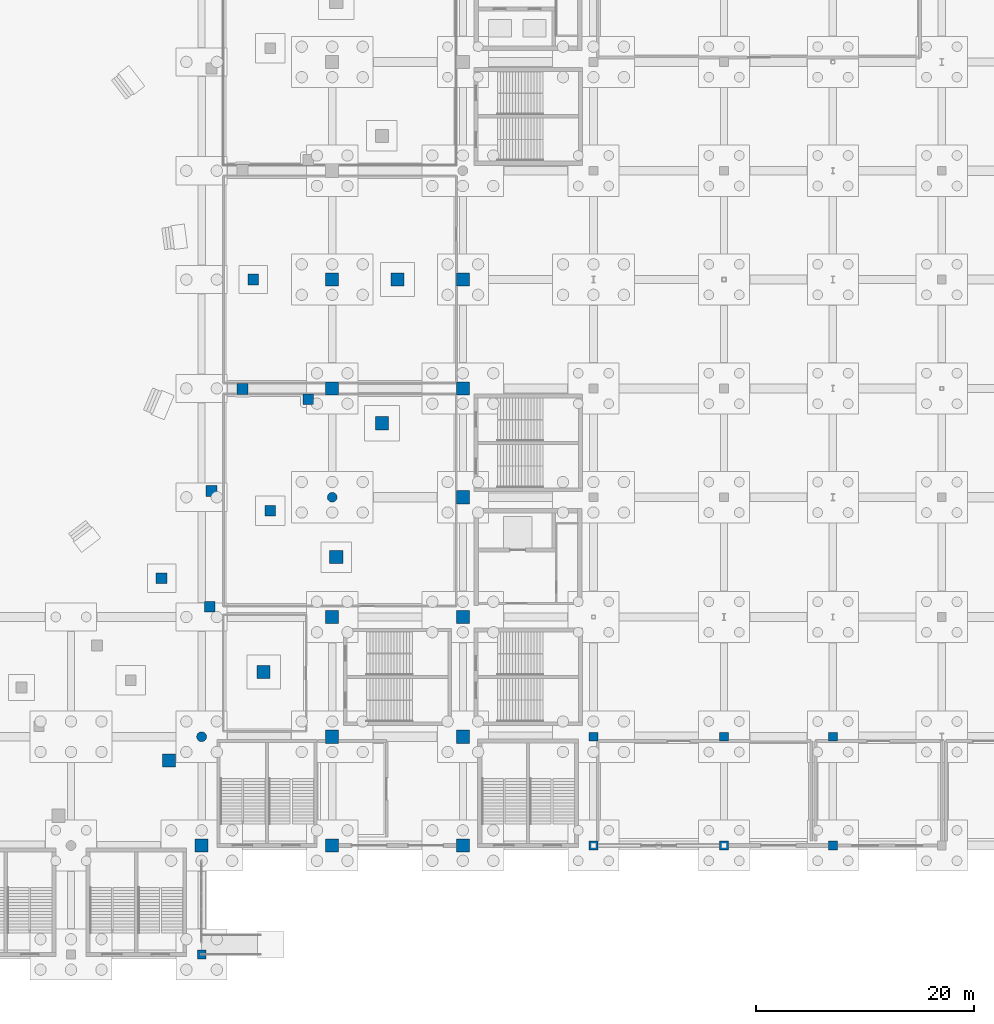
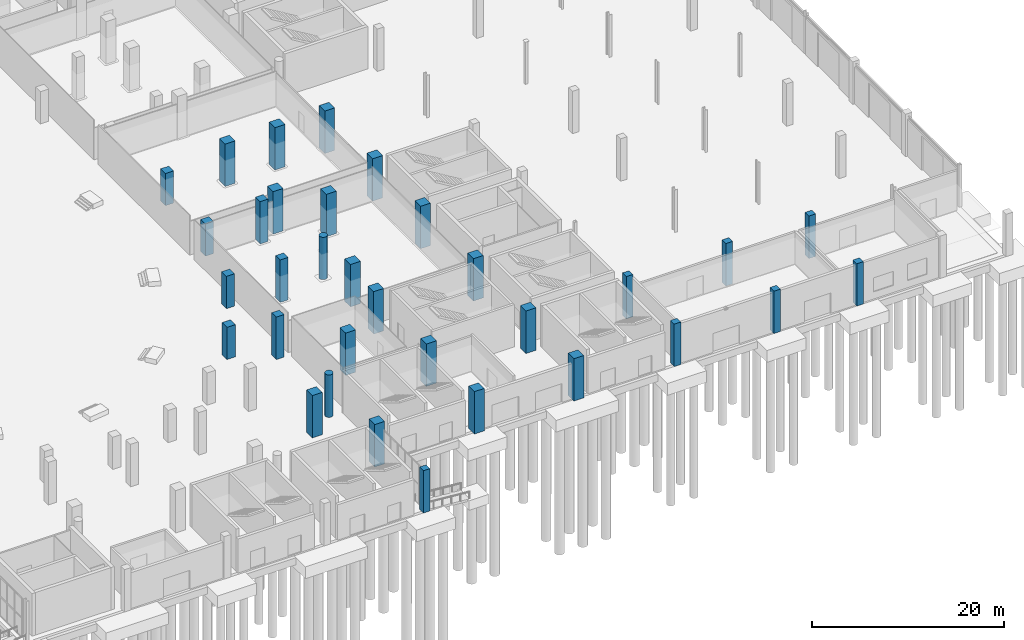
# One storey, part 22 of 70: 33 columns.
"""IFC4 building model written with IfcOpenShell, lengths in metres."""

from ifc_helpers import new_model, si_unit, direction, frame, origin, origin_2d, place, context, subcontext, project, spatial, rectangle, circle, extrude, material, material_profile, profile_set, type_object, element, save


model = new_model("IFC4")

# Units and contexts
model_context = context("Model", 3, precision=1e-05, world=origin(), true_north=direction((0.0, 1.0)))
body_context = subcontext(model_context, "Body", "Model", "MODEL_VIEW")
ifc_project = project(units=[si_unit("LENGTHUNIT", "METRE"), si_unit("AREAUNIT", "SQUARE_METRE"), si_unit("VOLUMEUNIT", "CUBIC_METRE"), si_unit("PLANEANGLEUNIT", "RADIAN"), si_unit("MASSUNIT", "GRAM", prefix="KILO")], contexts=[model_context])

# Site, building, storey
site_placement = place(None, origin())
site = spatial("IfcSite", under=ifc_project, at=site_placement, CompositionType="ELEMENT")
building_placement = place(site_placement, origin())
building = spatial("IfcBuilding", under=site, at=building_placement, Name="Brinegate Civic Arena", CompositionType="ELEMENT")
storey_placement = place(building_placement, origin())
storey = spatial("IfcBuildingStorey", under=building, at=storey_placement, Name="L00", CompositionType="ELEMENT", Elevation=0.0)

# Columns
ifc_material = material(Name="Concrete C50/60", Category="concrete")
ifc_material_profile_1 = material_profile(ifc_material, rectangle(XDim=1.199951171875, YDim=1.199951171875, at=origin_2d()), Name="RC1200X1200")
ifc_profile_set_1 = profile_set([ifc_material_profile_1], Name="Concrete C50/60")
column_type_1 = type_object("IfcColumnType", Name="COL-CC01-1200", PredefinedType="COLUMN", material=ifc_profile_set_1)
for number, where, z_axis, x_axis, name in (
    (1, (132.0, 10.0, 0.0), (0.0, 0.0, 1.0), (1.0, 0.0, 0.0), "Column COL-L00-12-B"),
    (2, (144.0, 10.0, 0.0), (0.0, 0.0, 1.0), (1.0, 0.0, 0.0), "Column COL-L00-13-B"),
    (3, (144.0, 20.0, 0.0), (0.0, 0.0, 1.0), (1.0, 0.0, 0.0), "Column COL-L00-13-C"),
    (4, (144.0, 31.0, 0.0), (0.0, 0.0, 1.0), (1.0, 0.0, 0.0), "Column COL-L00-13-D"),
    (5, (144.0, 52.0, 0.0), (0.0, 0.0, 1.0), (1.0, 0.0, 0.0), "Column COL-L00-13-F"),
    (6, (144.0, 62.0, 0.0), (0.0, 0.0, 1.0), (1.0, 0.0, 0.0), "Column COL-L00-13-G"),
    (7, (156.0, 10.0, 0.0), (0.0, 0.0, 1.0), (1.0, 0.0, 0.0), "Column COL-L00-14-B"),
    (8, (156.0, 20.0, 0.0), (0.0, 0.0, 1.0), (1.0, 0.0, 0.0), "Column COL-L00-14-C"),
    (9, (156.0, 31.0, 0.0), (0.0, 0.0, 1.0), (1.0, 0.0, 0.0), "Column COL-L00-14-D"),
    (10, (156.0, 42.0, 0.0), (0.0, 0.0, 1.0), (1.0, 0.0, 0.0), "Column COL-L00-14-E"),
    (11, (156.0, 52.0, 0.0), (0.0, 0.0, 1.0), (1.0, 0.0, 0.0), "Column COL-L00-14-F"),
    (12, (156.0, 62.0, 0.0), (0.0, 0.0, 1.0), (1.0, 0.0, 0.0), "Column COL-L00-14-G"),
    (13, (150.0, 62.0, 0.0), (0.0, 0.0, 1.0), (1.0, 0.0, 0.0), "Bowl Raker Column OUT-01-L00"),
    (14, (129.0, 17.8330078125, 0.0), (0.0, 0.0, 1.0), (1.0, 0.0, 0.0), "Bowl Raker Column OUT-21-L00"),
    (15, (137.697998046875, 25.93798828125, 0.0), (0.0, 0.0, 1.0), (1.0, 0.0, 0.0), "Bowl Raker Column OUT-22-L00"),
    (16, (144.373046875, 36.5, 0.0), (0.0, 0.0, 1.0), (1.0, 0.0, 0.0), "Bowl Raker Column OUT-23-L00"),
    (17, (148.569091796875, 48.800048828125, 0.0), (0.0, 0.0, 1.0), (1.0, 0.0, 0.0), "Bowl Raker Column OUT-24-L00"),
):
    element("IfcColumn", number, at=place(storey_placement, frame(where, z_axis=z_axis, x_axis=x_axis)), inside=storey, type_object=column_type_1, Name=name, PredefinedType="COLUMN", context=body_context, shape_type="SweptSolid", body=[
        extrude(rectangle(XDim=1.199951171875, YDim=1.199951171875, at=origin_2d()), origin(), (0.0, 0.0, 1.0), 5.39990234375),
    ])
ifc_material_profile_2 = material_profile(ifc_material, rectangle(XDim=1.0, YDim=1.0, at=origin_2d()), Name="RC1000X1000")
ifc_profile_set_2 = profile_set([ifc_material_profile_2], Name="Concrete C50/60")
column_type_2 = type_object("IfcColumnType", Name="COL-CC03-1000", PredefinedType="COLUMN", material=ifc_profile_set_2)
for number, where, z_axis, x_axis, name in (
    (18, (136.75, 62.0, 0.0), (0.0, 0.0, 1.0), (1.0, 0.0, 0.0), "Bowl Raker Column MID-01"),
    (19, (128.3291015625, 34.555908203125, 0.0), (0.0, 0.0, 1.0), (1.0, 0.0, 0.0), "Bowl Raker Column MID-22"),
    (20, (132.89794921875, 42.593994140625, 0.0), (0.0, 0.0, 1.0), (1.0, 0.0, 0.0), "Bowl Raker Column MID-23"),
    (21, (135.77001953125, 51.955078125, 0.0), (0.0, 0.0, 1.0), (1.0, 0.0, 0.0), "Bowl Raker Column MID-24"),
):
    element("IfcColumn", number, at=place(storey_placement, frame(where, z_axis=z_axis, x_axis=x_axis)), inside=storey, type_object=column_type_2, Name=name, PredefinedType="COLUMN", context=body_context, shape_type="SweptSolid", body=[
        extrude(rectangle(XDim=1.0, YDim=1.0, at=origin_2d()), origin(), (0.0, 0.0, 1.0), 4.10009765625),
    ])
ifc_material_profile_3 = material_profile(ifc_material, rectangle(XDim=0.949951171875, YDim=0.949951171875, at=origin_2d()), Name="RC950X950")
ifc_profile_set_3 = profile_set([ifc_material_profile_3], Name="Concrete C50/60")
column_type_3 = type_object("IfcColumnType", Name="COL-CC04-950", PredefinedType="COLUMN", material=ifc_profile_set_3)
for number, where, z_axis, x_axis, name in (
    (22, (132.7490234375, 31.947998046875, 0.0), (0.0, 0.0, 1.0), (1.0, 0.0, 0.0), "Upper Raker Inner Column UIN-22-L00"),
    (23, (138.31103515625, 40.75, 0.0), (0.0, 0.0, 1.0), (1.0, 0.0, 0.0), "Upper Raker Inner Column UIN-23-L00"),
    (24, (141.806884765625, 51.0, 0.0), (0.0, 0.0, 1.0), (1.0, 0.0, 0.0), "Upper Raker Inner Column UIN-24-L00"),
):
    element("IfcColumn", number, at=place(storey_placement, frame(where, z_axis=z_axis, x_axis=x_axis)), inside=storey, type_object=column_type_3, Name=name, PredefinedType="COLUMN", context=body_context, shape_type="SweptSolid", body=[
        extrude(rectangle(XDim=0.949951171875, YDim=0.949951171875, at=origin_2d()), origin(), (0.0, 0.0, 1.0), 5.39990234375),
    ])
ifc_material_profile_4 = material_profile(ifc_material, rectangle(XDim=0.800048828125, YDim=0.800048828125, at=origin_2d()), Name="RC800X800")
ifc_profile_set_4 = profile_set([ifc_material_profile_4], Name="Concrete C50/60")
column_type_4 = type_object("IfcColumnType", Name="COL-CC07-800", PredefinedType="COLUMN", material=ifc_profile_set_4)
for number, where, z_axis, x_axis, name in (
    (25, (132.0, 0.0, 0.0), (0.0, 0.0, 1.0), (1.0, 0.0, 0.0), "Column COL-L00-12-A"),
    (26, (168.0, 10.0, 0.0), (0.0, 0.0, 1.0), (1.0, 0.0, 0.0), "Column COL-L00-15-B"),
    (27, (168.0, 20.0, 0.0), (0.0, 0.0, 1.0), (1.0, 0.0, 0.0), "Column COL-L00-15-C"),
    (28, (180.0, 10.0, 0.0), (0.0, 0.0, 1.0), (1.0, 0.0, 0.0), "Column COL-L00-16-B"),
    (29, (180.0, 20.0, 0.0), (0.0, 0.0, 1.0), (1.0, 0.0, 0.0), "Column COL-L00-16-C"),
    (30, (190.0, 10.0, 0.0), (0.0, 0.0, 1.0), (1.0, 0.0, 0.0), "Column COL-L00-17-B"),
    (31, (190.0, 20.0, 0.0), (0.0, 0.0, 1.0), (1.0, 0.0, 0.0), "Column COL-L00-17-C"),
):
    element("IfcColumn", number, at=place(storey_placement, frame(where, z_axis=z_axis, x_axis=x_axis)), inside=storey, type_object=column_type_4, Name=name, PredefinedType="COLUMN", context=body_context, shape_type="SweptSolid", body=[
        extrude(rectangle(XDim=0.800048828125, YDim=0.800048828125, at=origin_2d()), origin(), (0.0, 0.0, 1.0), 5.39990234375),
    ])
ifc_material_profile_5 = material_profile(ifc_material, circle(Radius=0.449951171875, at=origin_2d()), Name="RCD900")
ifc_profile_set_5 = profile_set([ifc_material_profile_5], Name="Concrete C50/60")
column_type_5 = type_object("IfcColumnType", Name="COL-CC12-D900", PredefinedType="COLUMN", material=ifc_profile_set_5)
for number, where, z_axis, x_axis, name in (
    (32, (132.0, 20.0, 0.0), (0.0, 0.0, 1.0), (1.0, 0.0, 0.0), "Column COL-L00-12-C"),
    (33, (144.0, 42.0, 0.0), (0.0, 0.0, 1.0), (1.0, 0.0, 0.0), "Column COL-L00-13-E"),
):
    element("IfcColumn", number, at=place(storey_placement, frame(where, z_axis=z_axis, x_axis=x_axis)), inside=storey, type_object=column_type_5, Name=name, PredefinedType="COLUMN", context=body_context, shape_type="SweptSolid", body=[
        extrude(circle(Radius=0.449951171875, at=origin_2d()), origin(), (0.0, 0.0, 1.0), 5.39990234375),
    ])

save(model, "model.ifc")
